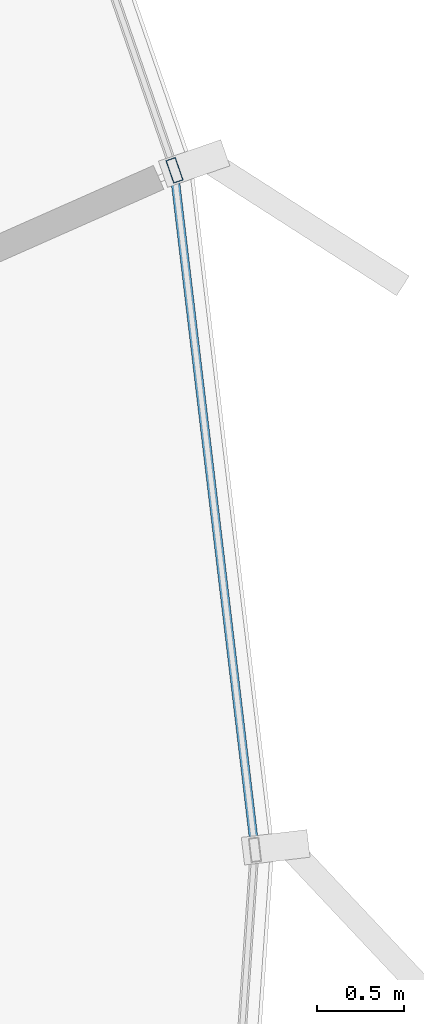
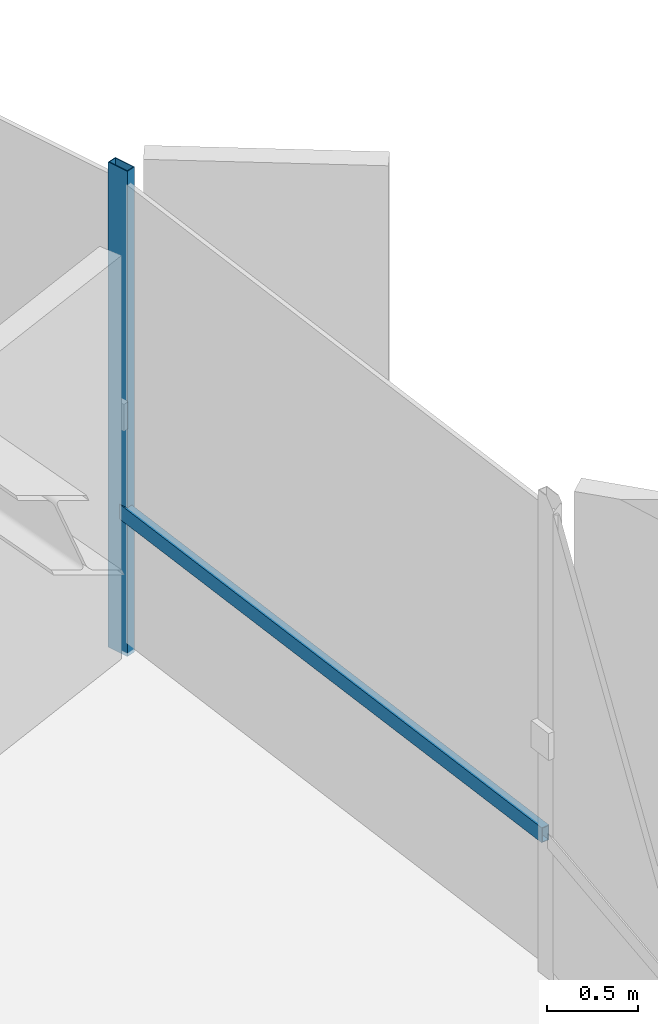
# One storey, part 28 of 35: 2 members, 1 element without a shape of its own.
"""IFC4 building model written with IfcOpenShell, lengths in metres."""

from ifc_helpers import new_model, si_unit, direction, frame, origin, origin_2d, place, context, subcontext, project, spatial, hollow_rectangle, extrude, source, transform, mapped, material, layer, layer_set, material_profile, profile_set, type_object, element, aggregate, save


model = new_model("IFC4")

# Units and contexts
model_context = context("Model", 3, precision=1e-05, world=origin(), true_north=direction((0.0, 1.0)))
body_context = subcontext(model_context, "Body", "Model", "MODEL_VIEW")
ifc_project = project(units=[si_unit("LENGTHUNIT", "METRE"), si_unit("AREAUNIT", "SQUARE_METRE"), si_unit("VOLUMEUNIT", "CUBIC_METRE"), si_unit("PLANEANGLEUNIT", "RADIAN"), si_unit("MASSUNIT", "GRAM", prefix="KILO"), si_unit("THERMODYNAMICTEMPERATUREUNIT", "KELVIN")], contexts=[model_context])

# Site, building, storey
site_placement = place(None, origin())
site = spatial("IfcSite", under=ifc_project, at=site_placement, CompositionType="ELEMENT")
building_placement = place(site_placement, origin())
building = spatial("IfcBuilding", under=site, at=building_placement, Name="Kethvar Cultural Tower", CompositionType="ELEMENT")
storey_placement = place(building_placement, frame((0.0, 0.0, 193.89990234375)))
storey = spatial("IfcBuildingStorey", under=building, at=storey_placement, Name="L50", CompositionType="ELEMENT", Elevation=193.89990234375)

# Curtain wall, members
ifc_material = material(Name="Aluminium 6063-T6", Category="aluminium")
ifc_layer = layer(ifc_material, 0.179931640625, Name="Aluminium 6063-T6", Category="aluminium")
ifc_layer_set = layer_set([ifc_layer], Name="Aluminium 6063-T6 (180 mm)")
curtain_wall_type = type_object("IfcCurtainWallType", Name="CW-SYS-04-Z34", PredefinedType="NOTDEFINED", material=ifc_layer_set)
curtain_wall_placement = place(storey_placement, origin())
curtain_wall = element("IfcCurtainWall", 1, at=curtain_wall_placement, inside=storey, type_object=curtain_wall_type, Name="L50 Curtain Wall Run 06", PredefinedType="NOTDEFINED")
ifc_material_profile_1 = material_profile(ifc_material, hollow_rectangle(XDim=0.06005859375, YDim=0.139892578125, WallThickness=0.0048828125, at=origin_2d()), Name="Aluminium 6063-T6 — RHS140x60x5")
ifc_profile_set_1 = profile_set([ifc_material_profile_1], Name="Aluminium 6063-T6 — RHS140x60x5")
member_type_1 = type_object("IfcMemberType", Name="CW-SYS-04-Z34-MUL", PredefinedType="MULLION", material=ifc_profile_set_1)
shared_shape_1 = source(origin(), body_context, "Body", "SweptSolid", [
    extrude(hollow_rectangle(XDim=0.06005859375, YDim=0.139892578125, WallThickness=0.0048828125, at=origin_2d()), origin(), (0.0, 0.0, 1.0), 3.260009765625),
])
member_1_placement = place(storey_placement, frame((70.986083984375, 38.4931640625, 0.0), z_axis=(0.0, 0.0, 1.0), x_axis=(-0.945211314953, -0.326459139993, 0.0)))
member_1 = element("IfcMember", 2, at=member_1_placement, type_object=member_type_1, Name="CW-L50-R06 Mullion 5", PredefinedType="MULLION", context=body_context, shape_type="MappedRepresentation", body=[
    mapped(shared_shape_1, transform((0.0, 0.0, 0.0), scale=1.0)),
])
ifc_material_profile_2 = material_profile(ifc_material, hollow_rectangle(XDim=0.050048828125, YDim=0.10009765625, WallThickness=0.00390625, at=origin_2d()), Name="Aluminium 6063-T6 — RHS100x50x4")
ifc_profile_set_2 = profile_set([ifc_material_profile_2], Name="Aluminium 6063-T6 — RHS100x50x4")
member_type_2 = type_object("IfcMemberType", Name="CW-SYS-04-Z34-TRN", PredefinedType="USERDEFINED", material=ifc_profile_set_2)
shared_shape_2 = source(origin(), body_context, "Body", "SweptSolid", [
    extrude(hollow_rectangle(XDim=0.050048828125, YDim=0.10009765625, WallThickness=0.00390625, at=origin_2d()), origin(), (0.0, 0.0, 1.0), 3.87939453125),
])
member_2_placement = place(storey_placement, frame((71.444580078125, 34.620849609375, 0.9501953125), z_axis=(-0.118246870208, 0.992984228317, 0.0), x_axis=(-0.992984228317, -0.118246870208, 0.0)))
member_2 = element("IfcMember", 3, at=member_2_placement, type_object=member_type_2, Name="CW-L50-R06 Transom 4", ObjectType="TRANSOM", PredefinedType="USERDEFINED", context=body_context, shape_type="MappedRepresentation", body=[
    mapped(shared_shape_2, transform((0.0, 0.0, 0.0), scale=1.0)),
])
aggregate(curtain_wall, [member_1, member_2])

save(model, "model.ifc")
